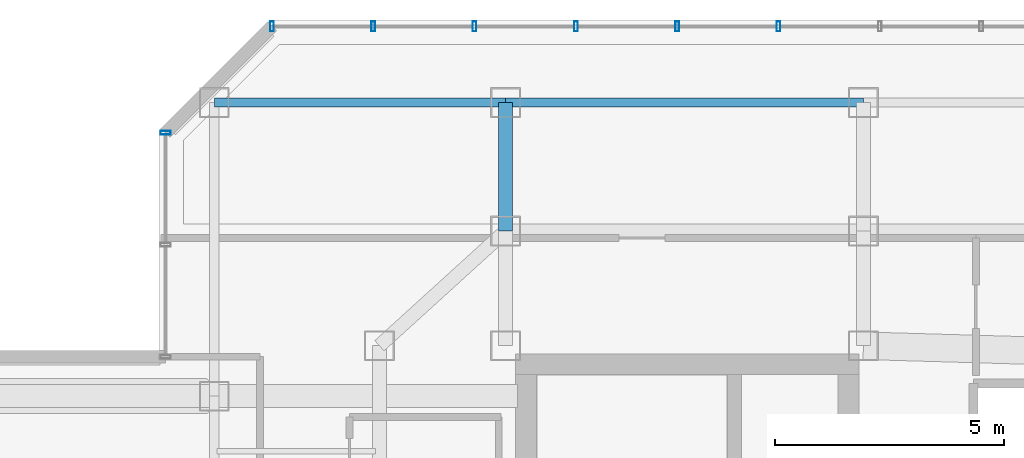
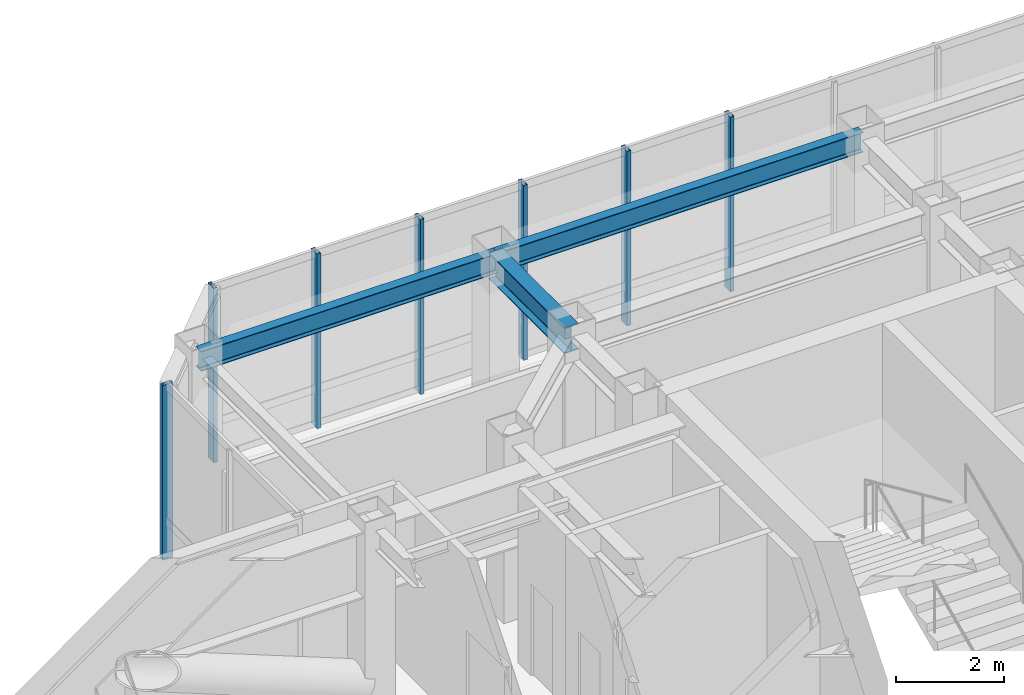
# One storey, part 13 of 22: 7 members, 3 beams, 2 elements without a shape of their own.
"""IFC4 building model written with IfcOpenShell, lengths in metres."""

import ifcopenshell
import ifcopenshell.guid

model = None  # the IFC model being written
_history = None  # IfcOwnerHistory: only IFC2X3 demands one
_inside = {}  # id of a spatial element -> (the spatial element, [elements in it])
_under = {}  # id of a project, library or spatial element -> (it, [spatial elements below it])
_declared = {}  # id of a project -> (the project, [libraries it declares])
_typed = {}  # id of a type object -> (the type object, [elements of that type])
_made_of = {}  # id of a material, layer set ... -> (it, [elements and type objects made of it])


def new_model(schema):
    """Start an empty IFC model of exactly this schema.

    Asked for "IFC4X3", IfcOpenShell would pick the latest addendum, in which some entities
    have other attributes; the version numbers below select the first issue.
    IFC2X3 requires an IfcOwnerHistory on every rooted entity: one is made here for all.
    """
    global model, _history
    if schema == "IFC4X3":
        model = ifcopenshell.file(schema_version=(4, 3, 0, 0))
    else:
        model = ifcopenshell.file(schema=schema)
    _inside.clear()
    _under.clear()
    _declared.clear()
    _typed.clear()
    _made_of.clear()
    _history = None
    if model.schema == "IFC2X3":
        org = make("IfcOrganization", Name="unknown")
        user = make(
            "IfcPersonAndOrganization",
            ThePerson=make("IfcPerson", FamilyName="unknown"),
            TheOrganization=org,
        )
        app = make(
            "IfcApplication",
            ApplicationDeveloper=org,
            Version="unknown",
            ApplicationFullName="unknown",
            ApplicationIdentifier="unknown",
        )
        _history = make(
            "IfcOwnerHistory",
            OwningUser=user,
            OwningApplication=app,
            ChangeAction="ADDED",
            CreationDate=0,
        )
    return model


def make(cls, **values):
    """One entity of the class cls with the attributes given. An attribute that is None is left unset."""
    return model.create_entity(
        cls, **{name: value for name, value in values.items() if value is not None}
    )


def rooted(cls, **values):
    """An entity with a GlobalId (a new one), such as an element, a storey or a relation."""
    return make(cls, GlobalId=ifcopenshell.guid.new(), OwnerHistory=_history, **values)


def si_unit(unit_type, name, prefix=None):
    """IfcSIUnit, for example si_unit("LENGTHUNIT", "METRE", prefix="MILLI")."""
    return make("IfcSIUnit", UnitType=unit_type, Prefix=prefix, Name=name)


def assignment(units):
    """IfcUnitAssignment: the units of a project."""
    return None if units is None else make("IfcUnitAssignment", Units=units)


def point(xyz):
    """IfcCartesianPoint."""
    return None if xyz is None else make("IfcCartesianPoint", Coordinates=xyz)


def direction(xyz):
    """IfcDirection."""
    return None if xyz is None else make("IfcDirection", DirectionRatios=xyz)


def frame(location, z_axis=None, x_axis=None):
    """IfcAxis2Placement3D, a coordinate frame: its origin and axes. An axis left out is left unset."""
    return make(
        "IfcAxis2Placement3D",
        Location=point(location),
        Axis=direction(z_axis),
        RefDirection=direction(x_axis),
    )


def frame_2d(location, x_axis=None):
    """IfcAxis2Placement2D, a coordinate frame in the plane: its origin and x axis."""
    return make(
        "IfcAxis2Placement2D", Location=point(location), RefDirection=direction(x_axis)
    )


def origin():
    """The frame at (0, 0, 0) with its axes left unset."""
    return frame((0.0, 0.0, 0.0))


def origin_2d():
    """The frame at (0, 0) in the plane with its x axis left unset."""
    return frame_2d((0.0, 0.0))


def place(relative_to, where):
    """IfcLocalPlacement: puts the frame where relative to a parent placement (None: the world)."""
    return make(
        "IfcLocalPlacement", PlacementRelTo=relative_to, RelativePlacement=where
    )


def context(
    kind, dimensions, precision=None, world=None, true_north=None, identifier=None
):
    """IfcGeometricRepresentationContext, for example the 3D "Model" context."""
    return make(
        "IfcGeometricRepresentationContext",
        ContextIdentifier=identifier,
        ContextType=kind,
        CoordinateSpaceDimension=dimensions,
        Precision=precision,
        WorldCoordinateSystem=world,
        TrueNorth=true_north,
    )


def subcontext(parent, identifier, kind, view, scale=None):
    """IfcGeometricRepresentationSubContext, for example "Body" below "Model"."""
    return make(
        "IfcGeometricRepresentationSubContext",
        ContextIdentifier=identifier,
        ContextType=kind,
        ParentContext=parent,
        TargetScale=scale,
        TargetView=view,
    )


def project(units=None, contexts=None):
    """IfcProject with its units and contexts."""
    return rooted(
        "IfcProject",
        Name="project",
        RepresentationContexts=contexts,
        UnitsInContext=assignment(units),
    )


def spatial(cls, under=None, at=None, **own):
    """A site, building, storey or space (cls), placed at a placement, below another one or the project."""
    s = rooted(cls, ObjectPlacement=at, **own)
    if under is not None:
        _under.setdefault(under.id(), (under, []))[1].append(s)
    return s


def profile(cls, at=None, kind="AREA", **sizes):
    """A parametric profile (cls). Its sizes go by their IFC names, for example OverallWidth=200.0."""
    return make(cls, ProfileType=kind, Position=at, **sizes)


def hollow_rectangle(**sizes):
    """IfcRectangleHollowProfileDef."""
    return profile("IfcRectangleHollowProfileDef", **sizes)


def i_section(**sizes):
    """IfcIShapeProfileDef."""
    return profile("IfcIShapeProfileDef", **sizes)


def extrude(swept, where, along, depth):
    """IfcExtrudedAreaSolid: the profile swept, set in the frame where, extruded along a direction by depth."""
    return make(
        "IfcExtrudedAreaSolid",
        SweptArea=swept,
        Position=where,
        ExtrudedDirection=direction(along),
        Depth=depth,
    )


def shape(context_of_items, identifier, shape_type, items):
    """IfcShapeRepresentation: the items that make up one representation, for example the "Body"."""
    return make(
        "IfcShapeRepresentation",
        ContextOfItems=context_of_items,
        RepresentationIdentifier=identifier,
        RepresentationType=shape_type,
        Items=items,
    )


def material(Name=None, Category=None):
    """IfcMaterial."""
    return make("IfcMaterial", Name=Name, Category=Category)


def layer(
    of_material, thickness, ventilated=None, Name=None, Category=None, Priority=None
):
    """IfcMaterialLayer: one layer of a wall or slab, of a material (None: an air gap)."""
    return make(
        "IfcMaterialLayer",
        Material=of_material,
        LayerThickness=thickness,
        IsVentilated=ventilated,
        Name=Name,
        Category=Category,
        Priority=Priority,
    )


def layer_set(layers, Name=None):
    """IfcMaterialLayerSet."""
    return make("IfcMaterialLayerSet", MaterialLayers=layers, LayerSetName=Name)


def material_profile(
    of_material, cross_section, Name=None, Category=None, Priority=None
):
    """IfcMaterialProfile: a cross section and its material."""
    return make(
        "IfcMaterialProfile",
        Name=Name,
        Material=of_material,
        Profile=cross_section,
        Priority=Priority,
        Category=Category,
    )


def profile_set(profiles, Name=None, composite=None):
    """IfcMaterialProfileSet."""
    return make(
        "IfcMaterialProfileSet",
        Name=Name,
        MaterialProfiles=profiles,
        CompositeProfile=composite,
    )


def made_of(thing, what):
    """Note that an element or type object is made of a material, layer set ...; save() writes the relation."""
    if what is not None:
        _made_of.setdefault(what.id(), (what, []))[1].append(thing)
    return thing


def type_object(cls, material=None, **own):
    """A type object (cls), such as IfcWallType, which elements share."""
    return made_of(rooted(cls, **own), material)


def element(
    cls,
    number,
    at=None,
    inside=None,
    cuts=None,
    type_object=None,
    material=None,
    context=None,
    identifier="Body",
    shape_type=None,
    held_by="IfcProductDefinitionShape",
    body=None,
    shapes=None,
    **own,
):
    """One element of the class cls, such as IfcWall. Its Tag is "e" and its number.

    at: its placement. inside: the storey or other place that contains it. cuts: it is an
    opening in that element (IfcRelVoidsElement). A single representation is given by context,
    identifier, shape_type and body (its items); several are given by shapes. held_by: the class
    of the entity that holds the representations. save() writes the other relations.
    """
    e = rooted(cls, Tag="e%d" % number, ObjectPlacement=at, **own)
    if body is not None:
        shapes = [shape(context, identifier, shape_type, body)]
    if shapes is not None:
        e.Representation = make(held_by, Representations=shapes)
    if inside is not None:
        _inside.setdefault(inside.id(), (inside, []))[1].append(e)
    if cuts is not None:
        rooted(
            "IfcRelVoidsElement", RelatingBuildingElement=cuts, RelatedOpeningElement=e
        )
    if type_object is not None:
        _typed.setdefault(type_object.id(), (type_object, []))[1].append(e)
    return made_of(e, material)


def aggregate(whole, parts):
    """IfcRelAggregates: a whole, such as a stair, and the parts it consists of."""
    return rooted("IfcRelAggregates", RelatingObject=whole, RelatedObjects=parts)


def save(model, path):
    """Write the relations noted so far, then the file.

    IfcRelAggregates (storeys below a building ...), IfcRelContainedInSpatialStructure (elements
    in a storey), IfcRelDefinesByType, IfcRelAssociatesMaterial and IfcRelDeclares: one each for
    every whole, place, type object, material and project.
    """
    for whole, parts in _under.values():
        aggregate(whole, parts)
    for where, things in _inside.values():
        rooted(
            "IfcRelContainedInSpatialStructure",
            RelatedElements=things,
            RelatingStructure=where,
        )
    for kind, things in _typed.values():
        rooted("IfcRelDefinesByType", RelatedObjects=things, RelatingType=kind)
    for what, things in _made_of.values():
        rooted("IfcRelAssociatesMaterial", RelatedObjects=things, RelatingMaterial=what)
    for by, libraries in _declared.values():
        rooted("IfcRelDeclares", RelatingContext=by, RelatedDefinitions=libraries)
    model.write(path)


model = new_model("IFC4")

# Units and contexts
model_context = context("Model", 3, precision=1e-05, world=origin(), true_north=direction((0.0, 1.0)))
body_context = subcontext(model_context, "Body", "Model", "MODEL_VIEW")
ifc_project = project(units=[si_unit("LENGTHUNIT", "METRE"), si_unit("AREAUNIT", "SQUARE_METRE"), si_unit("VOLUMEUNIT", "CUBIC_METRE"), si_unit("PLANEANGLEUNIT", "RADIAN"), si_unit("MASSUNIT", "GRAM", prefix="KILO")], contexts=[model_context])

# Site, building, storey
site_placement = place(None, origin())
site = spatial("IfcSite", under=ifc_project, at=site_placement, CompositionType="ELEMENT")
building_placement = place(site_placement, origin())
building = spatial("IfcBuilding", under=site, at=building_placement, Name="Hatsunagi Terrace Concourse", CompositionType="ELEMENT")
storey_placement = place(building_placement, frame((0.0, 0.0, 257.550048828125)))
storey = spatial("IfcBuildingStorey", under=building, at=storey_placement, Name="L68", CompositionType="ELEMENT", Elevation=257.550048828125)

# Curtain wall, member
ifc_material_1 = material(Name="Anodised Aluminium Alloy 6063-T5", Category="aluminium")
ifc_layer = layer(ifc_material_1, 0.199951171875)
ifc_layer_set = layer_set([ifc_layer], Name="SkyLobbyAtrium_CW05")
curtain_wall_type = type_object("IfcCurtainWallType", Name="SkyLobbyAtrium_CW05", PredefinedType="NOTDEFINED", material=ifc_layer_set)
curtain_wall_1_placement = place(storey_placement, origin())
curtain_wall_1 = element("IfcCurtainWall", 1, at=curtain_wall_1_placement, inside=storey, type_object=curtain_wall_type, Name="Unitised Curtain Wall CW-05 CW-L68-01", PredefinedType="NOTDEFINED")
ifc_material_2 = material(Name="Anodised Aluminium Alloy 6063-T5", Category="aluminium")
ifc_material_profile_1 = material_profile(ifc_material_2, hollow_rectangle(XDim=0.080078125, YDim=0.219970703125, WallThickness=0.0048828125, at=origin_2d()), Name="ALU-MUL-220x80x5")
ifc_profile_set_1 = profile_set([ifc_material_profile_1], Name="Anodised Aluminium Alloy 6063-T5")
member_type = type_object("IfcMemberType", Name="CurtainWallMullion_Heavy_220x80", PredefinedType="MULLION", material=ifc_profile_set_1)
member_1_placement = place(storey_placement, frame((18.139892578125, 47.94189453125, 0.0), z_axis=(0.0, 0.0, 1.0), x_axis=(0.0, 1.0, 0.0)))
member_1 = element("IfcMember", 2, at=member_1_placement, type_object=member_type, Name="Curtain Wall Mullion MUL-01", PredefinedType="MULLION", context=body_context, shape_type="SweptSolid", body=[
    extrude(hollow_rectangle(XDim=0.080078125, YDim=0.219970703125, WallThickness=0.0048828125, at=origin_2d()), origin(), (0.0, 0.0, 1.0), 3.949951171875),
])
aggregate(curtain_wall_1, [member_1])

# Curtain wall, members
curtain_wall_2_placement = place(storey_placement, origin())
curtain_wall_2 = element("IfcCurtainWall", 3, at=curtain_wall_2_placement, inside=storey, type_object=curtain_wall_type, Name="Unitised Curtain Wall CW-05 CW-L68-03", PredefinedType="NOTDEFINED")
member_2_placement = place(storey_placement, frame((20.4580078125, 50.260009765625, 0.0), z_axis=(0.0, 0.0, 1.0), x_axis=(1.0, 0.0, 0.0)))
member_2 = element("IfcMember", 4, at=member_2_placement, type_object=member_type, Name="Curtain Wall Mullion MUL-01", PredefinedType="MULLION", context=body_context, shape_type="SweptSolid", body=[
    extrude(hollow_rectangle(XDim=0.080078125, YDim=0.219970703125, WallThickness=0.0048828125, at=origin_2d()), origin(), (0.0, 0.0, 1.0), 3.949951171875),
])
member_3_placement = place(storey_placement, frame((22.666015625, 50.260009765625, 0.0), z_axis=(0.0, 0.0, 1.0), x_axis=(1.0, 0.0, 0.0)))
member_3 = element("IfcMember", 5, at=member_3_placement, type_object=member_type, Name="Curtain Wall Mullion MUL-01", PredefinedType="MULLION", context=body_context, shape_type="SweptSolid", body=[
    extrude(hollow_rectangle(XDim=0.080078125, YDim=0.219970703125, WallThickness=0.0048828125, at=origin_2d()), origin(), (0.0, 0.0, 1.0), 3.949951171875),
])
member_4_placement = place(storey_placement, frame((24.875, 50.260009765625, 0.0), z_axis=(0.0, 0.0, 1.0), x_axis=(1.0, 0.0, 0.0)))
member_4 = element("IfcMember", 6, at=member_4_placement, type_object=member_type, Name="Curtain Wall Mullion MUL-01", PredefinedType="MULLION", context=body_context, shape_type="SweptSolid", body=[
    extrude(hollow_rectangle(XDim=0.080078125, YDim=0.219970703125, WallThickness=0.0048828125, at=origin_2d()), origin(), (0.0, 0.0, 1.0), 3.949951171875),
])
member_5_placement = place(storey_placement, frame((27.0830078125, 50.260009765625, 0.0), z_axis=(0.0, 0.0, 1.0), x_axis=(1.0, 0.0, 0.0)))
member_5 = element("IfcMember", 7, at=member_5_placement, type_object=member_type, Name="Curtain Wall Mullion MUL-01", PredefinedType="MULLION", context=body_context, shape_type="SweptSolid", body=[
    extrude(hollow_rectangle(XDim=0.080078125, YDim=0.219970703125, WallThickness=0.0048828125, at=origin_2d()), origin(), (0.0, 0.0, 1.0), 3.949951171875),
])
member_6_placement = place(storey_placement, frame((29.2919921875, 50.260009765625, 0.0), z_axis=(0.0, 0.0, 1.0), x_axis=(1.0, 0.0, 0.0)))
member_6 = element("IfcMember", 8, at=member_6_placement, type_object=member_type, Name="Curtain Wall Mullion MUL-01", PredefinedType="MULLION", context=body_context, shape_type="SweptSolid", body=[
    extrude(hollow_rectangle(XDim=0.080078125, YDim=0.219970703125, WallThickness=0.0048828125, at=origin_2d()), origin(), (0.0, 0.0, 1.0), 3.949951171875),
])
member_7_placement = place(storey_placement, frame((31.5, 50.260009765625, 0.0), z_axis=(0.0, 0.0, 1.0), x_axis=(1.0, 0.0, 0.0)))
member_7 = element("IfcMember", 9, at=member_7_placement, type_object=member_type, Name="Curtain Wall Mullion MUL-01", PredefinedType="MULLION", context=body_context, shape_type="SweptSolid", body=[
    extrude(hollow_rectangle(XDim=0.080078125, YDim=0.219970703125, WallThickness=0.0048828125, at=origin_2d()), origin(), (0.0, 0.0, 1.0), 3.949951171875),
])
aggregate(curtain_wall_2, [member_2, member_3, member_4, member_5, member_6, member_7])

# Beams
ifc_material_3 = material(Name="Steel SN490B", Category="steel")
ifc_material_profile_2 = material_profile(ifc_material_3, i_section(OverallWidth=0.300048828125, OverallDepth=0.587890625, WebThickness=0.011962890625, FlangeThickness=0.02001953125, FilletRadius=0.01806640625, at=origin_2d()), Name="H-588x300x12x20")
ifc_profile_set_2 = profile_set([ifc_material_profile_2], Name="Steel SN490B")
beam_type_1 = type_object("IfcBeamType", Name="OfficeHighGirder_H_588x300", PredefinedType="BEAM", material=ifc_profile_set_2)
beam_1_placement = place(storey_placement, frame((25.550048828125, 45.800048828125, 3.656005859375), z_axis=(0.0, 1.0, 0.0), x_axis=(-1.0, 0.0, 0.0)))
element("IfcBeam", 10, at=beam_1_placement, inside=storey, type_object=beam_type_1, Name="Beam G-06 BM-L68-KN-WN4", PredefinedType="BEAM", context=body_context, shape_type="SweptSolid", body=[
    extrude(i_section(OverallWidth=0.300048828125, OverallDepth=0.587890625, WebThickness=0.011962890625, FlangeThickness=0.02001953125, FilletRadius=0.01806640625, at=origin_2d()), origin(), (0.0, 0.0, 1.0), 2.800048828125),
])
ifc_material_4 = material(Name="Steel SN490B", Category="steel")
ifc_material_profile_3 = material_profile(ifc_material_4, i_section(OverallWidth=0.199951171875, OverallDepth=0.449951171875, WebThickness=0.009033203125, FlangeThickness=0.013916015625, FilletRadius=0.01611328125, at=origin_2d()), Name="H-450x200x9x14")
ifc_profile_set_3 = profile_set([ifc_material_profile_3], Name="Steel SN490B")
beam_type_2 = type_object("IfcBeamType", Name="PerimeterSpandrel_H_450x200", PredefinedType="SPANDREL", material=ifc_profile_set_3)
beam_2_placement = place(storey_placement, frame((19.199951171875, 48.60009765625, 3.724853515625), z_axis=(1.0, 0.0, 0.0), x_axis=(0.0, 1.0, 0.0)))
element("IfcBeam", 11, at=beam_2_placement, inside=storey, type_object=beam_type_2, Name="Beam SP-02 BM-L68-WN-19", PredefinedType="SPANDREL", context=body_context, shape_type="SweptSolid", body=[
    extrude(i_section(OverallWidth=0.199951171875, OverallDepth=0.449951171875, WebThickness=0.009033203125, FlangeThickness=0.013916015625, FilletRadius=0.01611328125, at=origin_2d()), origin(), (0.0, 0.0, 1.0), 6.35009765625),
])
beam_3_placement = place(storey_placement, frame((25.550048828125, 48.60009765625, 3.724853515625), z_axis=(1.0, 0.0, 0.0), x_axis=(0.0, 1.0, 0.0)))
element("IfcBeam", 12, at=beam_3_placement, inside=storey, type_object=beam_type_2, Name="Beam SP-02 BM-L68-WN-25", PredefinedType="SPANDREL", context=body_context, shape_type="SweptSolid", body=[
    extrude(i_section(OverallWidth=0.199951171875, OverallDepth=0.449951171875, WebThickness=0.009033203125, FlangeThickness=0.013916015625, FilletRadius=0.01611328125, at=origin_2d()), origin(), (0.0, 0.0, 1.0), 7.800048828125),
])

save(model, "model.ifc")
